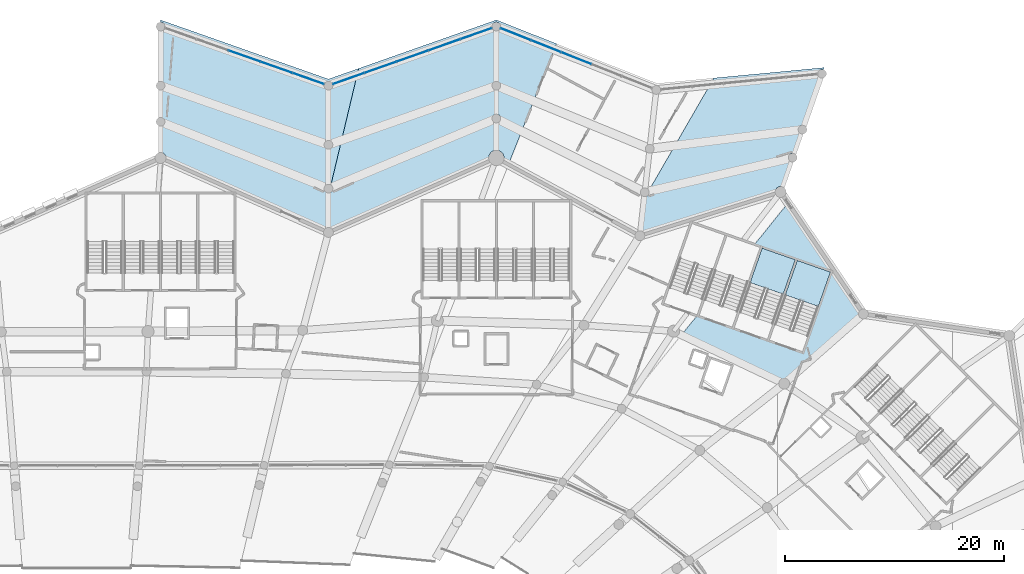
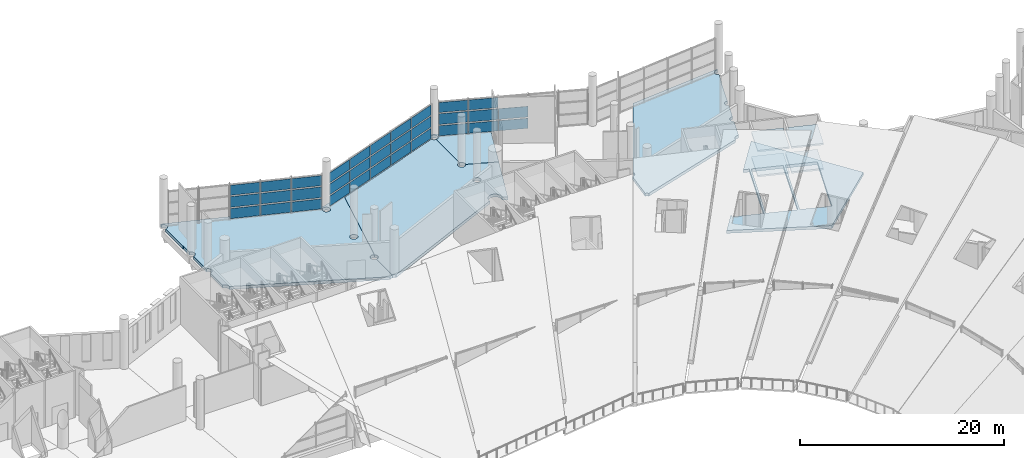
# One storey, part 133 of 249: 32 plates, 9 slabs, 5 elements without a shape of their own.
"""IFC4 building model written with IfcOpenShell, lengths in metres."""

from ifc_helpers import new_model, si_unit, direction, frame, origin, origin_2d, place, context, subcontext, project, spatial, polyline, rectangle, outline, extrude, material, layer, layer_set, type_object, element, aggregate, save


model = new_model("IFC4")

# Units and contexts
model_context = context("Model", 3, precision=1e-05, world=origin(), true_north=direction((0.0, 1.0)))
body_context = subcontext(model_context, "Body", "Model", "MODEL_VIEW")
ifc_project = project(units=[si_unit("LENGTHUNIT", "METRE"), si_unit("AREAUNIT", "SQUARE_METRE"), si_unit("VOLUMEUNIT", "CUBIC_METRE"), si_unit("PLANEANGLEUNIT", "RADIAN"), si_unit("MASSUNIT", "GRAM", prefix="KILO")], contexts=[model_context])

# Site, building, storey
site_placement = place(None, origin())
site = spatial("IfcSite", under=ifc_project, at=site_placement, CompositionType="ELEMENT")
building_placement = place(site_placement, origin())
building = spatial("IfcBuilding", under=site, at=building_placement, Name="Meseta Stadium", CompositionType="ELEMENT")
storey_placement = place(building_placement, frame((0.0, 0.0, 12.0)))
storey = spatial("IfcBuildingStorey", under=building, at=storey_placement, Name="L02", CompositionType="ELEMENT", Elevation=12.0)

# Slabs
ifc_material_1 = material(Name="Concrete C40/50", Category="concrete")
ifc_layer_1 = layer(ifc_material_1, 0.35009765625)
ifc_layer_set_1 = layer_set([ifc_layer_1], Name="Floor slab 350")
slab_type_1 = type_object("IfcSlabType", Name="Floor slab 350", PredefinedType="FLOOR", material=ifc_layer_set_1)
slab_1_placement = place(storey_placement, frame((0.0, 0.0, -0.35009765625)))
element("IfcSlab", 1, at=slab_1_placement, inside=storey, type_object=slab_type_1, Name="Floor slab L02 sector 07 panel 04", PredefinedType="FLOOR", context=body_context, shape_type="SweptSolid", body=[
    extrude(outline(polyline([(55.242919921875, 89.238037109375), (64.6220703125, 84.79248046875), (71.856689453125, 91.15087890625), (64.973388671875, 101.294921875), (61.85107421875, 97.426025390625), (62.419677734375, 97.227294921875), (59.87646484375, 89.959228515625), (56.85595703125, 91.01611328125), (56.9921875, 91.40576171875), (55.242919921875, 89.238037109375)]), holes=[polyline([(62.6083984375, 97.1611328125), (65.62890625, 96.104248046875), (63.085693359375, 88.836181640625), (60.065185546875, 89.893310546875), (62.6083984375, 97.1611328125)]), polyline([(65.8173828125, 96.0380859375), (68.837890625, 94.981201171875), (66.294921875, 87.71337890625), (63.2744140625, 88.770263671875), (65.8173828125, 96.0380859375)])]), origin(), (0.0, 0.0, 1.0), 0.35009765625),
])
slab_2_placement = place(storey_placement, frame((0.0, 0.0, -0.35009765625)))
element("IfcSlab", 2, at=slab_2_placement, inside=storey, type_object=slab_type_1, Name="Ring floor slab L02 2 panel 01", PredefinedType="FLOOR", context=body_context, shape_type="SweptSolid", body=[
    extrude(outline(polyline([(7.666748046875, 116.99658203125), (7.666748046875, 113.60009765625), (7.708251953125, 113.593994140625), (7.708251953125, 112.39794921875), (7.77099609375, 112.3896484375), (7.868408203125, 112.349365234375), (7.951904296875, 112.285400390625), (8.01611328125, 112.20166015625), (8.056396484375, 112.1044921875), (8.070068359375, 112.0), (8.056396484375, 111.8955078125), (8.01611328125, 111.79833984375), (7.951904296875, 111.714599609375), (7.868408203125, 111.650634765625), (7.77099609375, 111.6103515625), (7.708251953125, 111.60205078125), (7.708251953125, 109.097900390625), (7.77099609375, 109.089599609375), (7.868408203125, 109.04931640625), (7.951904296875, 108.9853515625), (8.01611328125, 108.901611328125), (8.056396484375, 108.804443359375), (8.070068359375, 108.699951171875), (8.056396484375, 108.595703125), (8.038330078125, 108.552001953125), (8.01611328125, 108.498291015625), (7.951904296875, 108.414794921875), (7.868408203125, 108.3505859375), (7.77099609375, 108.310302734375), (7.708251953125, 108.302001953125), (7.708251953125, 105.898681640625), (7.797119140625, 105.88720703125), (7.918701171875, 105.836669921875), (8.023193359375, 105.756591796875), (8.103515625, 105.652099609375), (8.15380859375, 105.530517578125), (8.1708984375, 105.39990234375), (8.16357421875, 105.34375), (22.670654296875, 98.91015625), (22.67919921875, 98.9208984375), (22.773193359375, 98.9931640625), (22.882568359375, 99.038330078125), (23.0, 99.053955078125), (23.0, 102.196533203125), (22.8955078125, 102.210205078125), (22.79833984375, 102.25048828125), (22.714599609375, 102.314697265625), (22.650634765625, 102.398193359375), (22.6103515625, 102.49560546875), (22.596435546875, 102.60009765625), (22.6103515625, 102.704345703125), (22.650634765625, 102.8017578125), (22.714599609375, 102.88525390625), (22.79833984375, 102.949462890625), (22.8955078125, 102.98974609375), (23.0, 103.00341796875), (23.1044921875, 102.98974609375), (23.20166015625, 102.949462890625), (23.222412109375, 102.93359375), (25.7548828125, 113.5703125), (23.0, 112.60009765625), (7.666748046875, 118.0), (7.666748046875, 117.803466796875), (7.77099609375, 117.789794921875), (7.868408203125, 117.74951171875), (7.951904296875, 117.685302734375), (8.01611328125, 117.601806640625), (8.056396484375, 117.50439453125), (8.070068359375, 117.39990234375), (8.056396484375, 117.295654296875), (8.04443359375, 117.266845703125), (8.01611328125, 117.1982421875), (7.951904296875, 117.11474609375), (7.868408203125, 117.050537109375), (7.77099609375, 117.01025390625), (7.666748046875, 116.99658203125)]), holes=[polyline([(22.596435546875, 112.0), (22.6103515625, 112.1044921875), (22.622314453125, 112.133056640625), (22.650634765625, 112.20166015625), (22.714599609375, 112.285400390625), (22.79833984375, 112.349365234375), (22.8955078125, 112.3896484375), (23.0, 112.403564453125), (23.1044921875, 112.3896484375), (23.20166015625, 112.349365234375), (23.285400390625, 112.285400390625), (23.349365234375, 112.20166015625), (23.3896484375, 112.1044921875), (23.403564453125, 112.0), (23.3896484375, 111.8955078125), (23.349365234375, 111.79833984375), (23.285400390625, 111.714599609375), (23.20166015625, 111.650634765625), (23.1044921875, 111.6103515625), (23.0, 111.596435546875), (22.8955078125, 111.6103515625), (22.79833984375, 111.650634765625), (22.714599609375, 111.714599609375), (22.650634765625, 111.79833984375), (22.6103515625, 111.8955078125), (22.596435546875, 112.0)]), polyline([(23.349365234375, 106.8017578125), (23.3896484375, 106.704345703125), (23.403564453125, 106.60009765625), (23.3896484375, 106.49560546875), (23.349365234375, 106.398193359375), (23.285400390625, 106.314697265625), (23.20166015625, 106.25048828125), (23.1044921875, 106.210205078125), (23.0, 106.196533203125), (22.8955078125, 106.210205078125), (22.79833984375, 106.25048828125), (22.714599609375, 106.314697265625), (22.650634765625, 106.398193359375), (22.6103515625, 106.49560546875), (22.596435546875, 106.60009765625), (22.6103515625, 106.704345703125), (22.650634765625, 106.8017578125), (22.714599609375, 106.88525390625), (22.79833984375, 106.949462890625), (22.8955078125, 106.98974609375), (23.0, 107.00341796875), (23.1044921875, 106.98974609375), (23.20166015625, 106.949462890625), (23.285400390625, 106.88525390625), (23.349365234375, 106.8017578125)])]), origin(), (0.0, 0.0, 1.0), 0.35009765625),
])
slab_3_placement = place(storey_placement, frame((0.0, 0.0, -0.35009765625)))
element("IfcSlab", 3, at=slab_3_placement, inside=storey, type_object=slab_type_1, Name="Ring floor slab L02 2 panel 02", PredefinedType="FLOOR", context=body_context, shape_type="SweptSolid", body=[
    extrude(outline(polyline([(23.1044921875, 102.210205078125), (23.0, 102.196533203125), (23.0, 99.053955078125), (23.117431640625, 99.038330078125), (23.226806640625, 98.9931640625), (23.32080078125, 98.9208984375), (23.329345703125, 98.91015625), (37.645751953125, 105.25927734375), (37.627197265625, 105.39990234375), (37.6513671875, 105.582763671875), (37.721923828125, 105.7529296875), (37.833984375, 105.899169921875), (37.980224609375, 106.011474609375), (38.150634765625, 106.08203125), (38.333251953125, 106.10595703125), (38.51611328125, 106.08203125), (38.686279296875, 106.011474609375), (38.83251953125, 105.899169921875), (38.94482421875, 105.7529296875), (39.015380859375, 105.582763671875), (39.039306640625, 105.39990234375), (39.015380859375, 105.21728515625), (39.009765625, 105.203857421875), (39.49951171875, 104.9384765625), (41.7451171875, 110.59765625), (38.703369140625, 111.847900390625), (38.6826171875, 111.79833984375), (38.61865234375, 111.714599609375), (38.53515625, 111.650634765625), (38.437744140625, 111.6103515625), (38.333251953125, 111.596435546875), (38.22900390625, 111.6103515625), (38.131591796875, 111.650634765625), (38.048095703125, 111.714599609375), (37.98388671875, 111.79833984375), (37.943603515625, 111.8955078125), (37.929931640625, 112.0), (37.943603515625, 112.1044921875), (37.98388671875, 112.20166015625), (38.048095703125, 112.285400390625), (38.131591796875, 112.349365234375), (38.22900390625, 112.3896484375), (38.333251953125, 112.403564453125), (38.333251953125, 116.99658203125), (38.22900390625, 117.01025390625), (38.131591796875, 117.050537109375), (38.048095703125, 117.11474609375), (37.98388671875, 117.1982421875), (37.95556640625, 117.266845703125), (25.598876953125, 112.915283203125), (23.222412109375, 102.93359375), (23.285400390625, 102.88525390625), (23.349365234375, 102.8017578125), (23.3896484375, 102.704345703125), (23.403564453125, 102.60009765625), (23.3896484375, 102.49560546875), (23.349365234375, 102.398193359375), (23.285400390625, 102.314697265625), (23.20166015625, 102.25048828125), (23.1044921875, 102.210205078125)]), holes=[polyline([(37.98388671875, 109.20166015625), (38.048095703125, 109.285400390625), (38.131591796875, 109.349365234375), (38.22900390625, 109.3896484375), (38.333251953125, 109.403564453125), (38.437744140625, 109.3896484375), (38.53515625, 109.349365234375), (38.61865234375, 109.285400390625), (38.6826171875, 109.20166015625), (38.722900390625, 109.1044921875), (38.73681640625, 109.0), (38.722900390625, 108.8955078125), (38.6826171875, 108.79833984375), (38.61865234375, 108.714599609375), (38.53515625, 108.650634765625), (38.437744140625, 108.6103515625), (38.333251953125, 108.596435546875), (38.22900390625, 108.6103515625), (38.131591796875, 108.650634765625), (38.048095703125, 108.714599609375), (37.98388671875, 108.79833984375), (37.943603515625, 108.8955078125), (37.929931640625, 109.0), (37.943603515625, 109.1044921875), (37.98388671875, 109.20166015625)])]), origin(), (0.0, 0.0, 1.0), 0.35009765625),
])
slab_4_placement = place(storey_placement, frame((0.0, 0.0, -0.35009765625)))
element("IfcSlab", 4, at=slab_4_placement, inside=storey, type_object=slab_type_1, Name="Ring floor slab L02 2 panel 03", PredefinedType="FLOOR", context=body_context, shape_type="SweptSolid", body=[
    extrude(outline(polyline([(41.7451171875, 110.59765625), (43.822509765625, 115.8330078125), (38.333251953125, 118.0), (25.7548828125, 113.5703125), (25.598876953125, 112.915283203125), (37.95556640625, 117.266845703125), (37.943603515625, 117.295654296875), (37.929931640625, 117.39990234375), (37.943603515625, 117.50439453125), (37.98388671875, 117.601806640625), (38.048095703125, 117.685302734375), (38.131591796875, 117.74951171875), (38.22900390625, 117.789794921875), (38.333251953125, 117.803466796875), (38.437744140625, 117.789794921875), (38.53515625, 117.74951171875), (38.61865234375, 117.685302734375), (38.6826171875, 117.601806640625), (38.722900390625, 117.50439453125), (38.73681640625, 117.39990234375), (38.722900390625, 117.295654296875), (38.705078125, 117.252685546875), (38.6826171875, 117.1982421875), (38.61865234375, 117.11474609375), (38.53515625, 117.050537109375), (38.437744140625, 117.01025390625), (38.333251953125, 116.99658203125), (38.333251953125, 112.403564453125), (38.437744140625, 112.3896484375), (38.53515625, 112.349365234375), (38.61865234375, 112.285400390625), (38.6826171875, 112.20166015625), (38.722900390625, 112.1044921875), (38.73681640625, 112.0), (38.722900390625, 111.8955078125), (38.703369140625, 111.847900390625), (41.7451171875, 110.59765625)])), origin(), (0.0, 0.0, 1.0), 0.35009765625),
])
slab_5_placement = place(storey_placement, frame((0.0, 0.0, -0.35009765625)))
element("IfcSlab", 5, at=slab_5_placement, inside=storey, type_object=slab_type_1, Name="Ring floor slab L02 2 panel 05", PredefinedType="FLOOR", context=body_context, shape_type="SweptSolid", body=[
    extrude(outline(polyline([(64.297607421875, 102.79541015625), (64.423828125, 102.77880859375), (65.22265625, 105.0615234375), (65.19189453125, 105.07421875), (65.1083984375, 105.138427734375), (65.044189453125, 105.221923828125), (65.00390625, 105.3193359375), (64.989990234375, 105.423583984375), (65.00390625, 105.528076171875), (65.044189453125, 105.62548828125), (65.1083984375, 105.708984375), (65.19189453125, 105.773193359375), (65.289306640625, 105.8134765625), (65.3935546875, 105.8271484375), (65.486083984375, 105.81494140625), (66.12060546875, 107.627685546875), (66.08984375, 107.640380859375), (66.00634765625, 107.70458984375), (65.942138671875, 107.7880859375), (65.90185546875, 107.885498046875), (65.88818359375, 107.989990234375), (65.90185546875, 108.094482421875), (65.942138671875, 108.191650390625), (66.00634765625, 108.275146484375), (66.08984375, 108.33935546875), (66.18701171875, 108.379638671875), (66.29150390625, 108.393310546875), (66.38427734375, 108.38134765625), (67.507568359375, 111.591796875), (67.5458984375, 111.57470703125), (67.942626953125, 112.708740234375), (67.873291015625, 112.737548828125), (67.789794921875, 112.801513671875), (67.7255859375, 112.88525390625), (67.685302734375, 112.982421875), (67.6767578125, 113.048095703125), (67.671630859375, 113.0869140625), (67.685302734375, 113.19140625), (67.7255859375, 113.28857421875), (67.789794921875, 113.372314453125), (67.873291015625, 113.436279296875), (67.970703125, 113.4765625), (68.0751953125, 113.490478515625), (68.179443359375, 113.4765625), (68.20751953125, 113.465087890625), (68.273193359375, 113.6533203125), (58.19482421875, 112.697998046875), (52.25732421875, 102.426025390625), (52.279052734375, 102.373779296875), (52.292724609375, 102.269287109375), (52.279052734375, 102.164794921875), (52.23876953125, 102.0673828125), (52.174560546875, 101.98388671875), (52.091064453125, 101.919921875), (51.993896484375, 101.879638671875), (51.889404296875, 101.86572265625), (51.844482421875, 101.87158203125), (51.491943359375, 98.74169921875), (51.558837890625, 98.73291015625), (51.66845703125, 98.6875), (51.762451171875, 98.615478515625), (51.802001953125, 98.563720703125), (63.793212890625, 102.29150390625), (63.810302734375, 102.421630859375), (63.860595703125, 102.543212890625), (63.94091796875, 102.647705078125), (64.04541015625, 102.727783203125), (64.1669921875, 102.7783203125), (64.297607421875, 102.79541015625)])), origin(), (0.0, 0.0, 1.0), 0.35009765625),
])

# Curtain wall, plates
ifc_material_2 = material(Name="Aluminium", Category="aluminium")
ifc_layer_2 = layer(ifc_material_2, 0.199951171875)
ifc_layer_set_2 = layer_set([ifc_layer_2], Name="Ring shopfront curtain wall")
curtain_wall_type = type_object("IfcCurtainWallType", Name="Ring shopfront curtain wall", PredefinedType="NOTDEFINED", material=ifc_layer_set_2)
curtain_wall_1_placement = place(storey_placement, origin())
curtain_wall_1 = element("IfcCurtainWall", 6, at=curtain_wall_1_placement, inside=storey, type_object=curtain_wall_type, Name="Ring glazing L02 F15", PredefinedType="NOTDEFINED")
ifc_material_3 = material(Name="Glass", Category="glass")
ifc_layer_3 = layer(ifc_material_3, 0.035888671875)
ifc_layer_set_3 = layer_set([ifc_layer_3], Name="Ring CW glass panel 36")
plate_type = type_object("IfcPlateType", Name="Ring CW glass panel 36", PredefinedType="CURTAIN_PANEL", material=ifc_layer_set_3)
plate_1_placement = place(storey_placement, frame((45.637451171875, 114.505126953125, 0.14990234375), z_axis=(0.0, 0.0, 1.0), x_axis=(-0.929646142614, 0.368453592088, 0.0)))
plate_1 = element("IfcPlate", 7, at=plate_1_placement, type_object=plate_type, Name="CWR1 panel 3.1", PredefinedType="CURTAIN_PANEL", context=body_context, shape_type="SweptSolid", body=[
    extrude(rectangle(XDim=2.9228515625, YDim=0.035888671875, at=origin_2d()), origin(), (0.0, 0.0, 1.0), 1.208251953125),
])
plate_2_placement = place(storey_placement, frame((45.637451171875, 114.505126953125, 1.50830078125), z_axis=(0.0, 0.0, 1.0), x_axis=(-0.929646142614, 0.368453592088, 0.0)))
plate_2 = element("IfcPlate", 8, at=plate_2_placement, type_object=plate_type, Name="CWR1 panel 3.2", PredefinedType="CURTAIN_PANEL", context=body_context, shape_type="SweptSolid", body=[
    extrude(rectangle(XDim=2.9228515625, YDim=0.035888671875, at=origin_2d()), origin(), (0.0, 0.0, 1.0), 1.283447265625),
])
plate_3_placement = place(storey_placement, frame((42.864501953125, 115.60400390625, 0.14990234375), z_axis=(0.0, 0.0, 1.0), x_axis=(-0.929646142614, 0.368453592088, 0.0)))
plate_3 = element("IfcPlate", 9, at=plate_3_placement, type_object=plate_type, Name="CWR1 panel 4.1", PredefinedType="CURTAIN_PANEL", context=body_context, shape_type="SweptSolid", body=[
    extrude(rectangle(XDim=2.9228515625, YDim=0.035888671875, at=origin_2d()), origin(), (0.0, 0.0, 1.0), 1.208251953125),
])
plate_4_placement = place(storey_placement, frame((42.864501953125, 115.60400390625, 1.50830078125), z_axis=(0.0, 0.0, 1.0), x_axis=(-0.929646142614, 0.368453592088, 0.0)))
plate_4 = element("IfcPlate", 10, at=plate_4_placement, type_object=plate_type, Name="CWR1 panel 4.2", PredefinedType="CURTAIN_PANEL", context=body_context, shape_type="SweptSolid", body=[
    extrude(rectangle(XDim=2.9228515625, YDim=0.035888671875, at=origin_2d()), origin(), (0.0, 0.0, 1.0), 1.283447265625),
])
plate_5_placement = place(storey_placement, frame((42.864501953125, 115.60400390625, 2.94189453125), z_axis=(0.0, 0.0, 1.0), x_axis=(-0.929646142614, 0.368453592088, 0.0)))
plate_5 = element("IfcPlate", 11, at=plate_5_placement, type_object=plate_type, Name="CWR1 panel 4.3", PredefinedType="CURTAIN_PANEL", context=body_context, shape_type="SweptSolid", body=[
    extrude(rectangle(XDim=2.9228515625, YDim=0.035888671875, at=origin_2d()), origin(), (0.0, 0.0, 1.0), 1.208251953125),
])
plate_6_placement = place(storey_placement, frame((40.105712890625, 116.697509765625, 0.14990234375), z_axis=(0.0, 0.0, 1.0), x_axis=(-0.929646142614, 0.368453592088, 0.0)))
plate_6 = element("IfcPlate", 12, at=plate_6_placement, type_object=plate_type, Name="CWR1 panel 5.1", PredefinedType="CURTAIN_PANEL", context=body_context, shape_type="SweptSolid", body=[
    extrude(rectangle(XDim=2.892822265625, YDim=0.035888671875, at=origin_2d()), origin(), (0.0, 0.0, 1.0), 1.208251953125),
])
plate_7_placement = place(storey_placement, frame((40.105712890625, 116.697509765625, 1.50830078125), z_axis=(0.0, 0.0, 1.0), x_axis=(-0.929646142614, 0.368453592088, 0.0)))
plate_7 = element("IfcPlate", 13, at=plate_7_placement, type_object=plate_type, Name="CWR1 panel 5.2", PredefinedType="CURTAIN_PANEL", context=body_context, shape_type="SweptSolid", body=[
    extrude(rectangle(XDim=2.892822265625, YDim=0.035888671875, at=origin_2d()), origin(), (0.0, 0.0, 1.0), 1.283447265625),
])
plate_8_placement = place(storey_placement, frame((40.105712890625, 116.697509765625, 2.94189453125), z_axis=(0.0, 0.0, 1.0), x_axis=(-0.929646142614, 0.368453592088, 0.0)))
plate_8 = element("IfcPlate", 14, at=plate_8_placement, type_object=plate_type, Name="CWR1 panel 5.3", PredefinedType="CURTAIN_PANEL", context=body_context, shape_type="SweptSolid", body=[
    extrude(rectangle(XDim=2.892822265625, YDim=0.035888671875, at=origin_2d()), origin(), (0.0, 0.0, 1.0), 1.208251953125),
])
aggregate(curtain_wall_1, [plate_1, plate_2, plate_3, plate_4, plate_5, plate_6, plate_7, plate_8])

curtain_wall_2_placement = place(storey_placement, origin())
curtain_wall_2 = element("IfcCurtainWall", 15, at=curtain_wall_2_placement, inside=storey, type_object=curtain_wall_type, Name="Ring glazing L02 F16", PredefinedType="NOTDEFINED")
plate_9_placement = place(storey_placement, frame((36.48388671875, 116.748779296875, 0.14990234375), z_axis=(0.0, 0.0, 1.0), x_axis=(-0.943218009999, -0.332174330154, 0.0)))
plate_9 = element("IfcPlate", 16, at=plate_9_placement, type_object=plate_type, Name="CWR1 panel 1.1", PredefinedType="CURTAIN_PANEL", context=body_context, shape_type="SweptSolid", body=[
    extrude(rectangle(XDim=3.001220703125, YDim=0.035888671875, at=origin_2d()), origin(), (0.0, 0.0, 1.0), 1.208251953125),
])
plate_10_placement = place(storey_placement, frame((36.48388671875, 116.748779296875, 1.50830078125), z_axis=(0.0, 0.0, 1.0), x_axis=(-0.943218009999, -0.332174330154, 0.0)))
plate_10 = element("IfcPlate", 17, at=plate_10_placement, type_object=plate_type, Name="CWR1 panel 1.2", PredefinedType="CURTAIN_PANEL", context=body_context, shape_type="SweptSolid", body=[
    extrude(rectangle(XDim=3.001220703125, YDim=0.035888671875, at=origin_2d()), origin(), (0.0, 0.0, 1.0), 1.283447265625),
])
plate_11_placement = place(storey_placement, frame((36.48388671875, 116.748779296875, 2.94189453125), z_axis=(0.0, 0.0, 1.0), x_axis=(-0.943218009999, -0.332174330154, 0.0)))
plate_11 = element("IfcPlate", 18, at=plate_11_placement, type_object=plate_type, Name="CWR1 panel 1.3", PredefinedType="CURTAIN_PANEL", context=body_context, shape_type="SweptSolid", body=[
    extrude(rectangle(XDim=3.001220703125, YDim=0.035888671875, at=origin_2d()), origin(), (0.0, 0.0, 1.0), 1.208251953125),
])
plate_12_placement = place(storey_placement, frame((33.582275390625, 115.726806640625, 0.14990234375), z_axis=(0.0, 0.0, 1.0), x_axis=(-0.943218009999, -0.332174330154, 0.0)))
plate_12 = element("IfcPlate", 19, at=plate_12_placement, type_object=plate_type, Name="CWR1 panel 2.1", PredefinedType="CURTAIN_PANEL", context=body_context, shape_type="SweptSolid", body=[
    extrude(rectangle(XDim=3.03125, YDim=0.035888671875, at=origin_2d()), origin(), (0.0, 0.0, 1.0), 1.208251953125),
])
plate_13_placement = place(storey_placement, frame((33.582275390625, 115.726806640625, 1.50830078125), z_axis=(0.0, 0.0, 1.0), x_axis=(-0.943218009999, -0.332174330154, 0.0)))
plate_13 = element("IfcPlate", 20, at=plate_13_placement, type_object=plate_type, Name="CWR1 panel 2.2", PredefinedType="CURTAIN_PANEL", context=body_context, shape_type="SweptSolid", body=[
    extrude(rectangle(XDim=3.03125, YDim=0.035888671875, at=origin_2d()), origin(), (0.0, 0.0, 1.0), 1.283447265625),
])
plate_14_placement = place(storey_placement, frame((33.582275390625, 115.726806640625, 2.94189453125), z_axis=(0.0, 0.0, 1.0), x_axis=(-0.943218009999, -0.332174330154, 0.0)))
plate_14 = element("IfcPlate", 21, at=plate_14_placement, type_object=plate_type, Name="CWR1 panel 2.3", PredefinedType="CURTAIN_PANEL", context=body_context, shape_type="SweptSolid", body=[
    extrude(rectangle(XDim=3.03125, YDim=0.035888671875, at=origin_2d()), origin(), (0.0, 0.0, 1.0), 1.208251953125),
])
plate_15_placement = place(storey_placement, frame((30.666748046875, 114.699951171875, 0.14990234375), z_axis=(0.0, 0.0, 1.0), x_axis=(-0.943218009999, -0.332174330154, 0.0)))
plate_15 = element("IfcPlate", 22, at=plate_15_placement, type_object=plate_type, Name="CWR1 panel 3.1", PredefinedType="CURTAIN_PANEL", context=body_context, shape_type="SweptSolid", body=[
    extrude(rectangle(XDim=3.03125, YDim=0.035888671875, at=origin_2d()), origin(), (0.0, 0.0, 1.0), 1.208251953125),
])
plate_16_placement = place(storey_placement, frame((30.666748046875, 114.699951171875, 1.50830078125), z_axis=(0.0, 0.0, 1.0), x_axis=(-0.943218009999, -0.332174330154, 0.0)))
plate_16 = element("IfcPlate", 23, at=plate_16_placement, type_object=plate_type, Name="CWR1 panel 3.2", PredefinedType="CURTAIN_PANEL", context=body_context, shape_type="SweptSolid", body=[
    extrude(rectangle(XDim=3.03125, YDim=0.035888671875, at=origin_2d()), origin(), (0.0, 0.0, 1.0), 1.283447265625),
])
plate_17_placement = place(storey_placement, frame((30.666748046875, 114.699951171875, 2.94189453125), z_axis=(0.0, 0.0, 1.0), x_axis=(-0.943218009999, -0.332174330154, 0.0)))
plate_17 = element("IfcPlate", 24, at=plate_17_placement, type_object=plate_type, Name="CWR1 panel 3.3", PredefinedType="CURTAIN_PANEL", context=body_context, shape_type="SweptSolid", body=[
    extrude(rectangle(XDim=3.03125, YDim=0.035888671875, at=origin_2d()), origin(), (0.0, 0.0, 1.0), 1.208251953125),
])
plate_18_placement = place(storey_placement, frame((27.7509765625, 113.673095703125, 0.14990234375), z_axis=(0.0, 0.0, 1.0), x_axis=(-0.943218009999, -0.332174330154, 0.0)))
plate_18 = element("IfcPlate", 25, at=plate_18_placement, type_object=plate_type, Name="CWR1 panel 4.1", PredefinedType="CURTAIN_PANEL", context=body_context, shape_type="SweptSolid", body=[
    extrude(rectangle(XDim=3.03125, YDim=0.035888671875, at=origin_2d()), origin(), (0.0, 0.0, 1.0), 1.208251953125),
])
plate_19_placement = place(storey_placement, frame((27.7509765625, 113.673095703125, 1.50830078125), z_axis=(0.0, 0.0, 1.0), x_axis=(-0.943218009999, -0.332174330154, 0.0)))
plate_19 = element("IfcPlate", 26, at=plate_19_placement, type_object=plate_type, Name="CWR1 panel 4.2", PredefinedType="CURTAIN_PANEL", context=body_context, shape_type="SweptSolid", body=[
    extrude(rectangle(XDim=3.03125, YDim=0.035888671875, at=origin_2d()), origin(), (0.0, 0.0, 1.0), 1.283447265625),
])
plate_20_placement = place(storey_placement, frame((27.7509765625, 113.673095703125, 2.94189453125), z_axis=(0.0, 0.0, 1.0), x_axis=(-0.943218009999, -0.332174330154, 0.0)))
plate_20 = element("IfcPlate", 27, at=plate_20_placement, type_object=plate_type, Name="CWR1 panel 4.3", PredefinedType="CURTAIN_PANEL", context=body_context, shape_type="SweptSolid", body=[
    extrude(rectangle(XDim=3.03125, YDim=0.035888671875, at=origin_2d()), origin(), (0.0, 0.0, 1.0), 1.208251953125),
])
plate_21_placement = place(storey_placement, frame((24.849365234375, 112.6513671875, 0.14990234375), z_axis=(0.0, 0.0, 1.0), x_axis=(-0.943218009999, -0.332174330154, 0.0)))
plate_21 = element("IfcPlate", 28, at=plate_21_placement, type_object=plate_type, Name="CWR1 panel 5.1", PredefinedType="CURTAIN_PANEL", context=body_context, shape_type="SweptSolid", body=[
    extrude(rectangle(XDim=3.001220703125, YDim=0.035888671875, at=origin_2d()), origin(), (0.0, 0.0, 1.0), 1.208251953125),
])
plate_22_placement = place(storey_placement, frame((24.849365234375, 112.6513671875, 1.50830078125), z_axis=(0.0, 0.0, 1.0), x_axis=(-0.943218009999, -0.332174330154, 0.0)))
plate_22 = element("IfcPlate", 29, at=plate_22_placement, type_object=plate_type, Name="CWR1 panel 5.2", PredefinedType="CURTAIN_PANEL", context=body_context, shape_type="SweptSolid", body=[
    extrude(rectangle(XDim=3.001220703125, YDim=0.035888671875, at=origin_2d()), origin(), (0.0, 0.0, 1.0), 1.283447265625),
])
plate_23_placement = place(storey_placement, frame((24.849365234375, 112.6513671875, 2.94189453125), z_axis=(0.0, 0.0, 1.0), x_axis=(-0.943218009999, -0.332174330154, 0.0)))
plate_23 = element("IfcPlate", 30, at=plate_23_placement, type_object=plate_type, Name="CWR1 panel 5.3", PredefinedType="CURTAIN_PANEL", context=body_context, shape_type="SweptSolid", body=[
    extrude(rectangle(XDim=3.001220703125, YDim=0.035888671875, at=origin_2d()), origin(), (0.0, 0.0, 1.0), 1.208251953125),
])
aggregate(curtain_wall_2, [plate_9, plate_10, plate_11, plate_12, plate_13, plate_14, plate_15, plate_16, plate_17, plate_18, plate_19, plate_20, plate_21, plate_22, plate_23])

curtain_wall_3_placement = place(storey_placement, origin())
curtain_wall_3 = element("IfcCurtainWall", 31, at=curtain_wall_3_placement, inside=storey, type_object=curtain_wall_type, Name="Ring glazing L02 F17", PredefinedType="NOTDEFINED")
plate_24_placement = place(storey_placement, frame((21.150634765625, 112.6513671875, 0.14990234375), z_axis=(0.0, 0.0, 1.0), x_axis=(-0.943218009999, 0.332174330154, 0.0)))
plate_24 = element("IfcPlate", 32, at=plate_24_placement, type_object=plate_type, Name="CWR1 panel 1.1", PredefinedType="CURTAIN_PANEL", context=body_context, shape_type="SweptSolid", body=[
    extrude(rectangle(XDim=3.001220703125, YDim=0.035888671875, at=origin_2d()), origin(), (0.0, 0.0, 1.0), 1.208251953125),
])
plate_25_placement = place(storey_placement, frame((21.150634765625, 112.6513671875, 1.50830078125), z_axis=(0.0, 0.0, 1.0), x_axis=(-0.943218009999, 0.332174330154, 0.0)))
plate_25 = element("IfcPlate", 33, at=plate_25_placement, type_object=plate_type, Name="CWR1 panel 1.2", PredefinedType="CURTAIN_PANEL", context=body_context, shape_type="SweptSolid", body=[
    extrude(rectangle(XDim=3.001220703125, YDim=0.035888671875, at=origin_2d()), origin(), (0.0, 0.0, 1.0), 1.283447265625),
])
plate_26_placement = place(storey_placement, frame((21.150634765625, 112.6513671875, 2.94189453125), z_axis=(0.0, 0.0, 1.0), x_axis=(-0.943218009999, 0.332174330154, 0.0)))
plate_26 = element("IfcPlate", 34, at=plate_26_placement, type_object=plate_type, Name="CWR1 panel 1.3", PredefinedType="CURTAIN_PANEL", context=body_context, shape_type="SweptSolid", body=[
    extrude(rectangle(XDim=3.001220703125, YDim=0.035888671875, at=origin_2d()), origin(), (0.0, 0.0, 1.0), 1.208251953125),
])
plate_27_placement = place(storey_placement, frame((18.2490234375, 113.673095703125, 0.14990234375), z_axis=(0.0, 0.0, 1.0), x_axis=(-0.943218009999, 0.332174330154, 0.0)))
plate_27 = element("IfcPlate", 35, at=plate_27_placement, type_object=plate_type, Name="CWR1 panel 2.1", PredefinedType="CURTAIN_PANEL", context=body_context, shape_type="SweptSolid", body=[
    extrude(rectangle(XDim=3.03125, YDim=0.035888671875, at=origin_2d()), origin(), (0.0, 0.0, 1.0), 1.208251953125),
])
plate_28_placement = place(storey_placement, frame((18.2490234375, 113.673095703125, 1.50830078125), z_axis=(0.0, 0.0, 1.0), x_axis=(-0.943218009999, 0.332174330154, 0.0)))
plate_28 = element("IfcPlate", 36, at=plate_28_placement, type_object=plate_type, Name="CWR1 panel 2.2", PredefinedType="CURTAIN_PANEL", context=body_context, shape_type="SweptSolid", body=[
    extrude(rectangle(XDim=3.03125, YDim=0.035888671875, at=origin_2d()), origin(), (0.0, 0.0, 1.0), 1.283447265625),
])
plate_29_placement = place(storey_placement, frame((18.2490234375, 113.673095703125, 2.94189453125), z_axis=(0.0, 0.0, 1.0), x_axis=(-0.943218009999, 0.332174330154, 0.0)))
plate_29 = element("IfcPlate", 37, at=plate_29_placement, type_object=plate_type, Name="CWR1 panel 2.3", PredefinedType="CURTAIN_PANEL", context=body_context, shape_type="SweptSolid", body=[
    extrude(rectangle(XDim=3.03125, YDim=0.035888671875, at=origin_2d()), origin(), (0.0, 0.0, 1.0), 1.208251953125),
])
plate_30_placement = place(storey_placement, frame((15.333251953125, 114.699951171875, 0.14990234375), z_axis=(0.0, 0.0, 1.0), x_axis=(-0.943218009999, 0.332174330154, 0.0)))
plate_30 = element("IfcPlate", 38, at=plate_30_placement, type_object=plate_type, Name="CWR1 panel 3.1", PredefinedType="CURTAIN_PANEL", context=body_context, shape_type="SweptSolid", body=[
    extrude(rectangle(XDim=3.03125, YDim=0.035888671875, at=origin_2d()), origin(), (0.0, 0.0, 1.0), 1.208251953125),
])
plate_31_placement = place(storey_placement, frame((15.333251953125, 114.699951171875, 1.50830078125), z_axis=(0.0, 0.0, 1.0), x_axis=(-0.943218009999, 0.332174330154, 0.0)))
plate_31 = element("IfcPlate", 39, at=plate_31_placement, type_object=plate_type, Name="CWR1 panel 3.2", PredefinedType="CURTAIN_PANEL", context=body_context, shape_type="SweptSolid", body=[
    extrude(rectangle(XDim=3.03125, YDim=0.035888671875, at=origin_2d()), origin(), (0.0, 0.0, 1.0), 1.283447265625),
])
plate_32_placement = place(storey_placement, frame((15.333251953125, 114.699951171875, 2.94189453125), z_axis=(0.0, 0.0, 1.0), x_axis=(-0.943218009999, 0.332174330154, 0.0)))
plate_32 = element("IfcPlate", 40, at=plate_32_placement, type_object=plate_type, Name="CWR1 panel 3.3", PredefinedType="CURTAIN_PANEL", context=body_context, shape_type="SweptSolid", body=[
    extrude(rectangle(XDim=3.03125, YDim=0.035888671875, at=origin_2d()), origin(), (0.0, 0.0, 1.0), 1.208251953125),
])
aggregate(curtain_wall_3, [plate_24, plate_25, plate_26, plate_27, plate_28, plate_29, plate_30, plate_31, plate_32])

# Stair, slabs
ifc_material_4 = material(Name="Concrete C40/50", Category="concrete")
stair_type = type_object("IfcStairType", Name="Exit stair 4 flights 150 mm risers", PredefinedType="HALF_TURN_STAIR", material=ifc_material_4)
stair_1_placement = place(storey_placement, origin())
stair_1 = element("IfcStair", 41, at=stair_1_placement, inside=storey, type_object=stair_type, Name="ST29 L02", PredefinedType="HALF_TURN_STAIR")
ifc_material_5 = material(Name="Concrete C40/50", Category="concrete")
ifc_layer_4 = layer(ifc_material_5, 0.199951171875)
ifc_layer_set_4 = layer_set([ifc_layer_4], Name="Stair landing 200")
slab_type_2 = type_object("IfcSlabType", Name="Stair landing 200", PredefinedType="LANDING", material=ifc_layer_set_4)
slab_6_placement = place(storey_placement, frame((0.0, 0.0, 1.300048828125)))
slab_6 = element("IfcSlab", 42, at=slab_6_placement, type_object=slab_type_2, Name="ST29 L02 landing 1", PredefinedType="LANDING", context=body_context, shape_type="SweptSolid", body=[
    extrude(outline(polyline([(67.738037109375, 91.838134765625), (68.837890625, 94.981201171875), (65.817626953125, 96.0380859375), (64.7177734375, 92.89501953125), (67.738037109375, 91.838134765625)])), origin(), (0.0, 0.0, 1.0), 0.199951171875),
])
slab_7_placement = place(storey_placement, frame((0.0, 0.0, 4.300048828125)))
slab_7 = element("IfcSlab", 43, at=slab_7_placement, type_object=slab_type_2, Name="ST29 L02 landing 3", PredefinedType="LANDING", context=body_context, shape_type="SweptSolid", body=[
    extrude(outline(polyline([(67.738037109375, 91.838134765625), (68.837890625, 94.981201171875), (65.817626953125, 96.0380859375), (64.7177734375, 92.89501953125), (67.738037109375, 91.838134765625)])), origin(), (0.0, 0.0, 1.0), 0.199951171875),
])
aggregate(stair_1, [slab_6, slab_7])

stair_2_placement = place(storey_placement, origin())
stair_2 = element("IfcStair", 44, at=stair_2_placement, inside=storey, type_object=stair_type, Name="ST30 L02", PredefinedType="HALF_TURN_STAIR")
slab_8_placement = place(storey_placement, frame((0.0, 0.0, 1.300048828125)))
slab_8 = element("IfcSlab", 45, at=slab_8_placement, type_object=slab_type_2, Name="ST30 L02 landing 1", PredefinedType="LANDING", context=body_context, shape_type="SweptSolid", body=[
    extrude(outline(polyline([(64.529052734375, 92.961181640625), (65.628662109375, 96.104248046875), (62.6083984375, 97.1611328125), (61.508544921875, 94.01806640625), (64.529052734375, 92.961181640625)])), origin(), (0.0, 0.0, 1.0), 0.199951171875),
])
slab_9_placement = place(storey_placement, frame((0.0, 0.0, 4.300048828125)))
slab_9 = element("IfcSlab", 46, at=slab_9_placement, type_object=slab_type_2, Name="ST30 L02 landing 3", PredefinedType="LANDING", context=body_context, shape_type="SweptSolid", body=[
    extrude(outline(polyline([(64.529052734375, 92.961181640625), (65.628662109375, 96.104248046875), (62.6083984375, 97.1611328125), (61.508544921875, 94.01806640625), (64.529052734375, 92.961181640625)])), origin(), (0.0, 0.0, 1.0), 0.199951171875),
])
aggregate(stair_2, [slab_8, slab_9])

save(model, "model.ifc")
